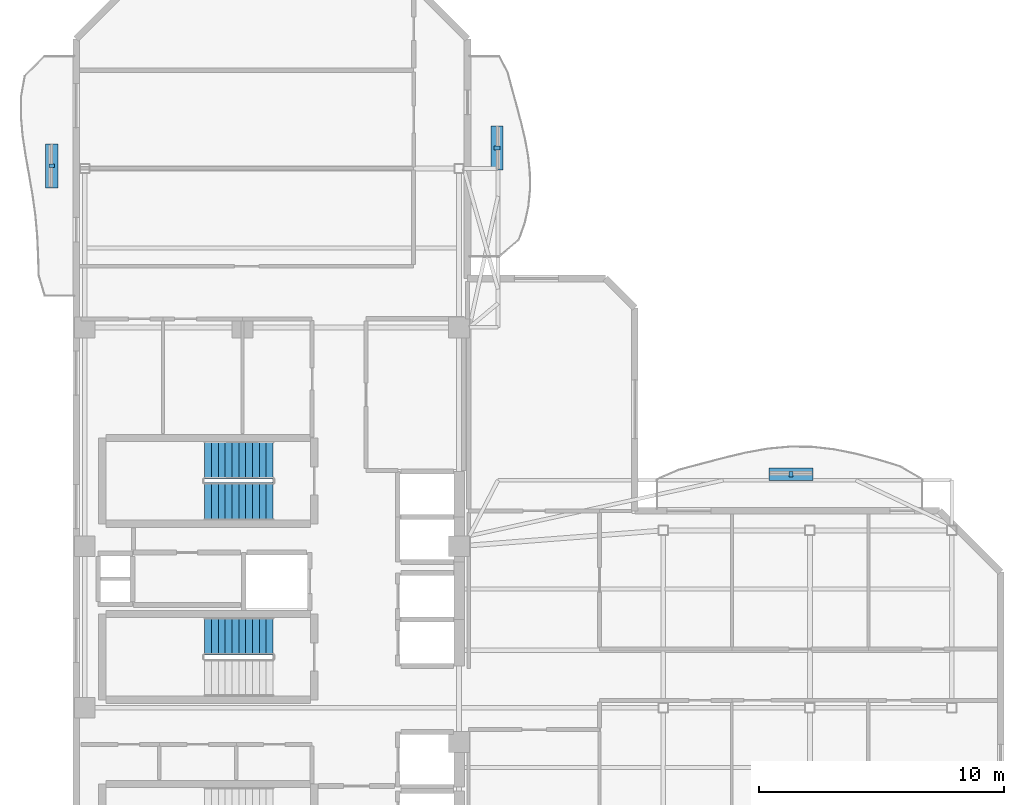
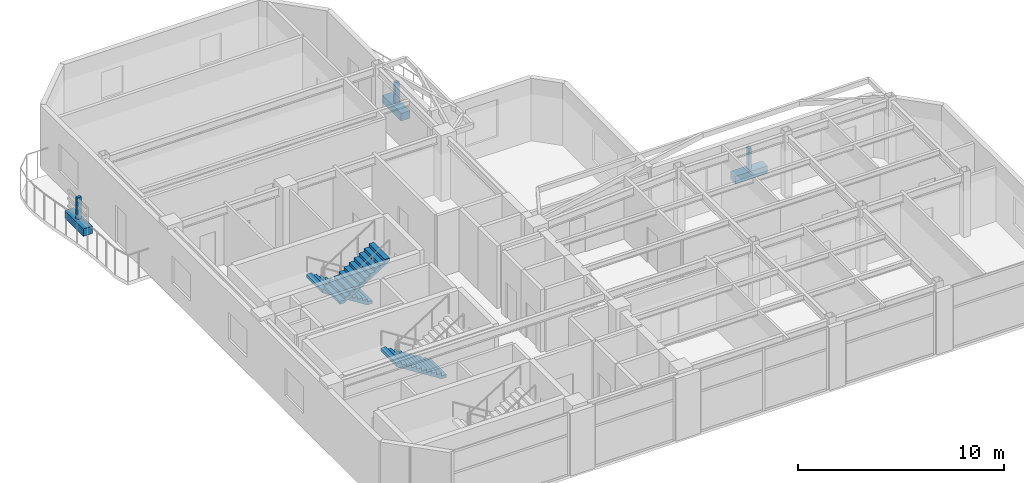
# One storey, part 12 of 14: 6 discrete accessories, 3 stair flights, 2 elements without a shape of their own.
"""IFC4 building model written with IfcOpenShell, lengths in metres."""

from ifc_helpers import new_model, si_unit, direction, frame, origin, origin_2d, place, context, subcontext, project, spatial, polyline, rectangle, outline, extrude, material, type_object, element, aggregate, save


model = new_model("IFC4")

# Units and contexts
model_context = context("Model", 3, precision=1e-05, world=origin(), true_north=direction((0.0, 1.0)))
body_context = subcontext(model_context, "Body", "Model", "MODEL_VIEW")
ifc_project = project(units=[si_unit("LENGTHUNIT", "METRE"), si_unit("AREAUNIT", "SQUARE_METRE"), si_unit("VOLUMEUNIT", "CUBIC_METRE"), si_unit("PLANEANGLEUNIT", "RADIAN"), si_unit("MASSUNIT", "GRAM", prefix="KILO")], contexts=[model_context])

# Site, building, storey
site_placement = place(None, origin())
site = spatial("IfcSite", under=ifc_project, at=site_placement, CompositionType="ELEMENT")
building_placement = place(site_placement, origin())
building = spatial("IfcBuilding", under=site, at=building_placement, Name="Mawjaban Terraces University", CompositionType="ELEMENT")
storey_placement = place(building_placement, frame((0.0, 0.0, 256.0)))
storey = spatial("IfcBuildingStorey", under=building, at=storey_placement, Name="L62", CompositionType="ELEMENT", Elevation=256.0)

# Stair, stair flights
ifc_material_1 = material(Name="Concrete C40/50", Category="concrete")
stair_type = type_object("IfcStairType", Name="Stair_Core1550_H39", PredefinedType="HALF_TURN_STAIR", material=ifc_material_1)
stair_1_placement = place(storey_placement, origin())
stair_1 = element("IfcStair", 1, at=stair_1_placement, inside=storey, type_object=stair_type, Name="L62 Core Exit Stair 2", PredefinedType="HALF_TURN_STAIR")
stair_flight_type = type_object("IfcStairFlightType", Name="Flight_Core1550_H39", PredefinedType="STRAIGHT", material=ifc_material_1)
stair_flight_1_placement = place(storey_placement, frame((30.050048828125, 18.074951171875, 0.0), z_axis=(0.0, 0.0, 1.0), x_axis=(-1.0, 0.0, 0.0)))
stair_flight_1 = element("IfcStairFlight", 2, at=stair_flight_1_placement, type_object=stair_flight_type, Name="ST-2 flight 1", NumberOfRisers=11, NumberOfTreads=10, PredefinedType="STRAIGHT", RiserHeight=0.177272727, TreadLength=0.28, context=body_context, shape_type="SweptSolid", body=[
    extrude(outline(polyline([(0.0, 0.0), (0.0, 0.17724609375), (0.280029296875, 0.17724609375), (0.280029296875, 0.3544921875), (0.56005859375, 0.3544921875), (0.56005859375, 0.53173828125), (0.840087890625, 0.53173828125), (0.840087890625, 0.708984375), (1.1201171875, 0.708984375), (1.1201171875, 0.886474609375), (1.39990234375, 0.886474609375), (1.39990234375, 1.063720703125), (1.679931640625, 1.063720703125), (1.679931640625, 1.240966796875), (1.9599609375, 1.240966796875), (1.9599609375, 1.418212890625), (2.239990234375, 1.418212890625), (2.239990234375, 1.595458984375), (2.52001953125, 1.595458984375), (2.52001953125, 1.772705078125), (2.800048828125, 1.772705078125), (2.800048828125, 1.949951171875), (2.800048828125, 1.59521484375), (0.2802734375, 0.0), (0.0, 0.0)])), frame((0.0, 0.77490234375, 0.0), z_axis=(0.0, -1.0, 0.0), x_axis=(1.0, 0.0, 0.0)), (0.0, 0.0, 1.0), 1.550048828125),
])
stair_flight_2_placement = place(storey_placement, frame((27.25, 16.375, 1.949951171875), z_axis=(0.0, 0.0, 1.0), x_axis=(1.0, 0.0, 0.0)))
stair_flight_2 = element("IfcStairFlight", 3, at=stair_flight_2_placement, type_object=stair_flight_type, Name="ST-2 flight 2", NumberOfRisers=11, NumberOfTreads=10, PredefinedType="STRAIGHT", RiserHeight=0.177272727, TreadLength=0.28, context=body_context, shape_type="SweptSolid", body=[
    extrude(outline(polyline([(0.0, 0.0), (0.0, 0.17724609375), (0.280029296875, 0.17724609375), (0.280029296875, 0.3544921875), (0.56005859375, 0.3544921875), (0.56005859375, 0.53173828125), (0.840087890625, 0.53173828125), (0.840087890625, 0.708984375), (1.1201171875, 0.708984375), (1.1201171875, 0.886474609375), (1.39990234375, 0.886474609375), (1.39990234375, 1.063720703125), (1.679931640625, 1.063720703125), (1.679931640625, 1.240966796875), (1.9599609375, 1.240966796875), (1.9599609375, 1.418212890625), (2.239990234375, 1.418212890625), (2.239990234375, 1.595458984375), (2.52001953125, 1.595458984375), (2.52001953125, 1.772705078125), (2.800048828125, 1.772705078125), (2.800048828125, 1.949951171875), (2.800048828125, 1.59521484375), (0.2802734375, 0.0), (0.0, 0.0)])), frame((0.0, 0.77490234375, 0.0), z_axis=(0.0, -1.0, 0.0), x_axis=(1.0, 0.0, 0.0)), (0.0, 0.0, 1.0), 1.550048828125),
])
aggregate(stair_1, [stair_flight_1, stair_flight_2])

# Stair, stair flight
stair_2_placement = place(storey_placement, origin())
stair_2 = element("IfcStair", 4, at=stair_2_placement, inside=storey, type_object=stair_type, Name="L62 Core Exit Stair 3", PredefinedType="HALF_TURN_STAIR")
stair_flight_3_placement = place(storey_placement, frame((30.050048828125, 10.875, 0.0), z_axis=(0.0, 0.0, 1.0), x_axis=(-1.0, 0.0, 0.0)))
stair_flight_3 = element("IfcStairFlight", 5, at=stair_flight_3_placement, type_object=stair_flight_type, Name="ST-3 flight 1", NumberOfRisers=11, NumberOfTreads=10, PredefinedType="STRAIGHT", RiserHeight=0.177272727, TreadLength=0.28, context=body_context, shape_type="SweptSolid", body=[
    extrude(outline(polyline([(0.0, 0.0), (0.0, 0.17724609375), (0.280029296875, 0.17724609375), (0.280029296875, 0.3544921875), (0.56005859375, 0.3544921875), (0.56005859375, 0.53173828125), (0.840087890625, 0.53173828125), (0.840087890625, 0.708984375), (1.1201171875, 0.708984375), (1.1201171875, 0.886474609375), (1.39990234375, 0.886474609375), (1.39990234375, 1.063720703125), (1.679931640625, 1.063720703125), (1.679931640625, 1.240966796875), (1.9599609375, 1.240966796875), (1.9599609375, 1.418212890625), (2.239990234375, 1.418212890625), (2.239990234375, 1.595458984375), (2.52001953125, 1.595458984375), (2.52001953125, 1.772705078125), (2.800048828125, 1.772705078125), (2.800048828125, 1.949951171875), (2.800048828125, 1.59521484375), (0.2802734375, 0.0), (0.0, 0.0)])), frame((0.0, 0.77490234375, 0.0), z_axis=(0.0, -1.0, 0.0), x_axis=(1.0, 0.0, 0.0)), (0.0, 0.0, 1.0), 1.550048828125),
])
aggregate(stair_2, [stair_flight_3])

# Discrete accessories
ifc_material_2 = material(Name="Stainless steel 316L", Category="steel")
discrete_accessory_type_1 = type_object("IfcDiscreteAccessoryType", Name="FacadeScreenBracket_Steel", PredefinedType="BRACKET", material=ifc_material_2)
for number, where, z_axis, x_axis, name in (
    (6, (21.0029296875, 30.10791015625, 0.419921875), (0.0, 0.0, 1.0), (0.0, 1.0, 0.0), "L62 Balcony Screen Support Bracket west"),
    (7, (51.22802734375, 17.4970703125, 0.419921875), (0.0, 0.0, 1.0), (1.0, 0.0, 0.0), "L62 Balcony Screen Support Bracket inner_north"),
    (8, (39.2080078125, 30.841064453125, 0.419921875), (0.0, 0.0, 1.0), (0.0, 1.0, 0.0), "L62 Balcony Screen Support Bracket inner_east"),
):
    element("IfcDiscreteAccessory", number, at=place(storey_placement, frame(where, z_axis=z_axis, x_axis=x_axis)), inside=storey, type_object=discrete_accessory_type_1, Name=name, PredefinedType="BRACKET", context=body_context, shape_type="SweptSolid", body=[
        extrude(rectangle(XDim=0.159912109375, YDim=0.239990234375, at=origin_2d()), origin(), (0.0, 0.0, 1.0), 1.300048828125),
    ])
ifc_material_3 = material(Name="Precast architectural terracotta planter with engineered planting soil", Category="masonry")
discrete_accessory_type_2 = type_object("IfcDiscreteAccessoryType", Name="IrrigatedPlanterTrough_450", PredefinedType="USERDEFINED", material=ifc_material_3)
for number, where, z_axis, x_axis, name in (
    (9, (21.0029296875, 30.10791015625, -0.0048828125), (0.0, 0.0, 1.0), (0.0, 1.0, 0.0), "L62 Balcony Irrigated Planter west"),
    (10, (51.22802734375, 17.4970703125, -0.0048828125), (0.0, 0.0, 1.0), (1.0, 0.0, 0.0), "L62 Balcony Irrigated Planter inner_north"),
    (11, (39.2080078125, 30.841064453125, -0.0048828125), (0.0, 0.0, 1.0), (0.0, 1.0, 0.0), "L62 Balcony Irrigated Planter inner_east"),
):
    element("IfcDiscreteAccessory", number, at=place(storey_placement, frame(where, z_axis=z_axis, x_axis=x_axis)), inside=storey, type_object=discrete_accessory_type_2, Name=name, ObjectType="PLANTER", PredefinedType="USERDEFINED", context=body_context, shape_type="SweptSolid", body=[
        extrude(rectangle(XDim=1.800048828125, YDim=0.5, at=origin_2d()), origin(), (0.0, 0.0, 1.0), 0.449951171875),
    ])

save(model, "model.ifc")
